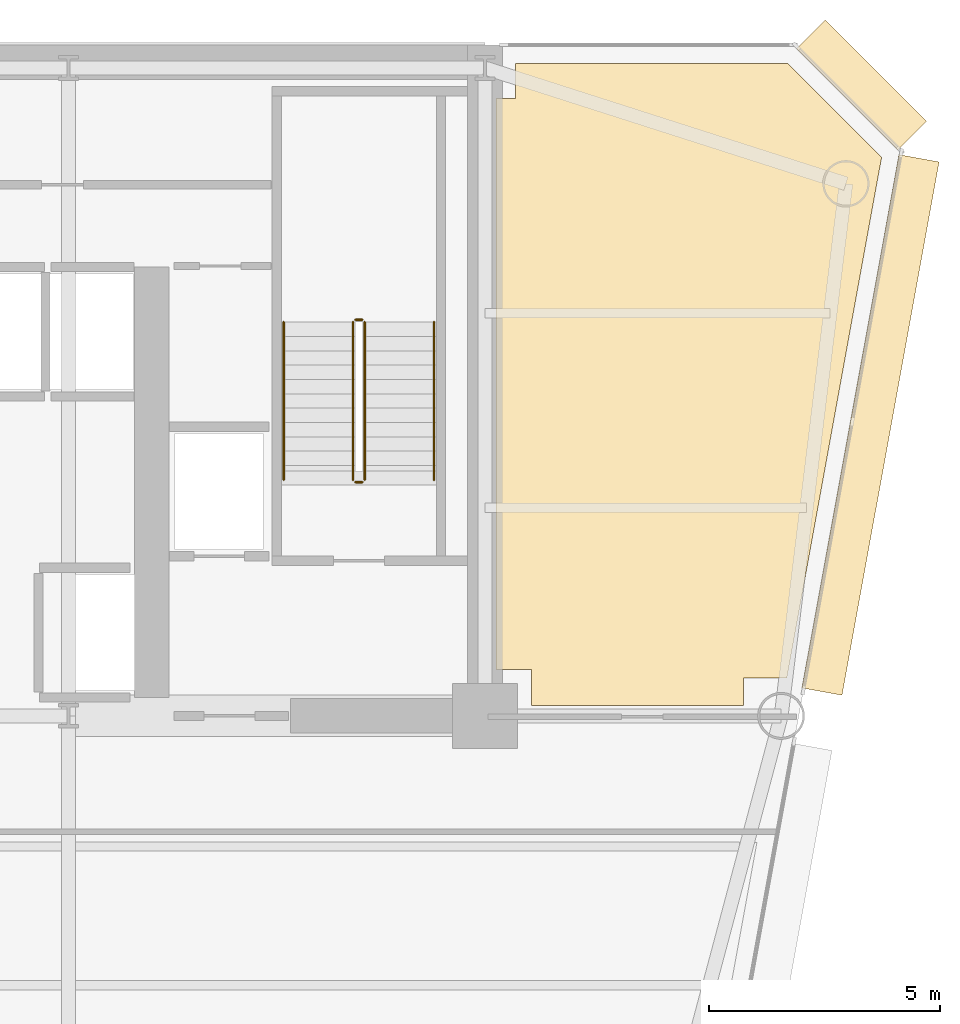
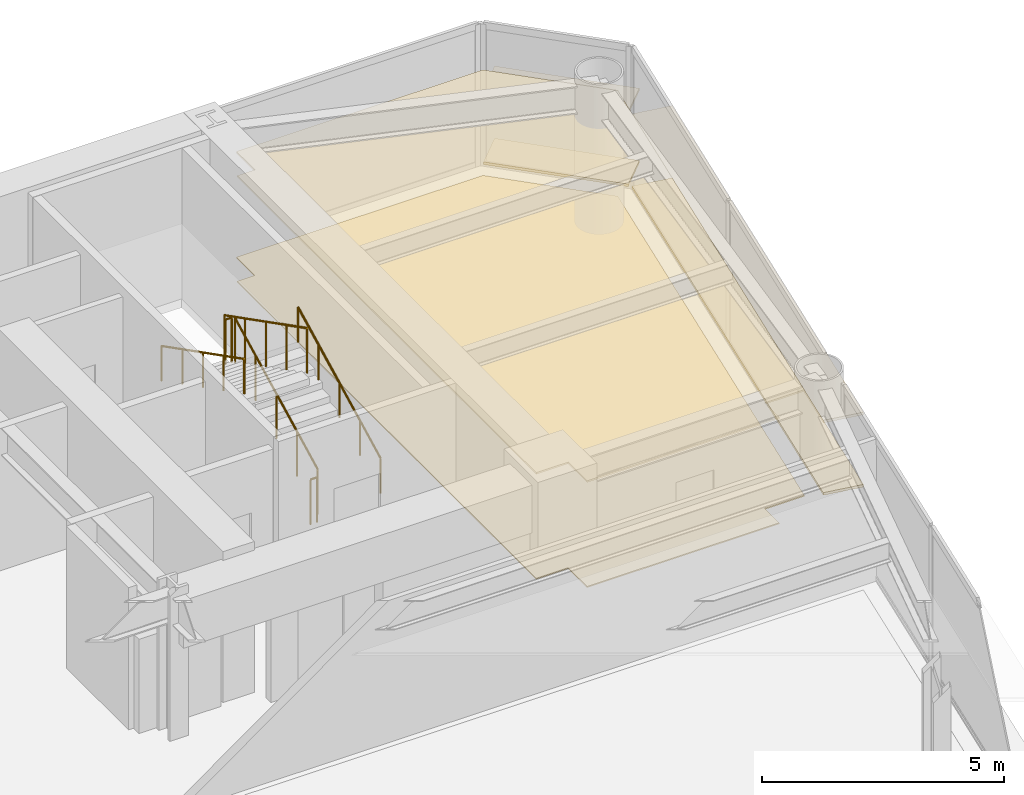
# One storey, part 14 of 14: 6 coverings, 6 railings.
"""IFC4 building model written with IfcOpenShell, lengths in metres."""

from ifc_helpers import new_model, si_unit, direction, frame, origin, origin_2d, place, context, subcontext, project, spatial, polyline, rectangle, circle, outline, extrude, source, transform, mapped, material, layer, layer_set, type_object, element, save


model = new_model("IFC4")

# Units and contexts
model_context = context("Model", 3, precision=1e-05, world=origin(), true_north=direction((0.0, 1.0)))
body_context = subcontext(model_context, "Body", "Model", "MODEL_VIEW")
ifc_project = project(units=[si_unit("LENGTHUNIT", "METRE"), si_unit("AREAUNIT", "SQUARE_METRE"), si_unit("VOLUMEUNIT", "CUBIC_METRE"), si_unit("PLANEANGLEUNIT", "RADIAN"), si_unit("MASSUNIT", "GRAM", prefix="KILO")], contexts=[model_context])

# Site, building, storey
site_placement = place(None, origin())
site = spatial("IfcSite", under=ifc_project, at=site_placement, CompositionType="ELEMENT")
building_placement = place(site_placement, origin())
building = spatial("IfcBuilding", under=site, at=building_placement, Name="Vaeldorn Concourse Tower", CompositionType="ELEMENT")
storey_placement = place(building_placement, frame((0.0, 0.0, 118.60009765625)))
storey = spatial("IfcBuildingStorey", under=building, at=storey_placement, Name="L30", CompositionType="ELEMENT", Elevation=118.60009765625)

# Coverings
ifc_material_1 = material(Name="Acoustic Mineral Fibre Board", Category="gypsum")
ifc_layer_1 = layer(ifc_material_1, 0.0400390625)
ifc_layer_set_1 = layer_set([ifc_layer_1], Name="Acoustic Mineral Fibre Board")
covering_type_1 = type_object("IfcCoveringType", Name="COV-CEIL-ACOUSTIC", PredefinedType="CEILING", material=ifc_layer_set_1)
covering_1_placement = place(storey_placement, frame((0.0, 0.0, 2.64990234375)))
element("IfcCovering", 1, at=covering_1_placement, inside=storey, type_object=covering_type_1, Name="Suspended Acoustic Ceiling L30-4", PredefinedType="CEILING", context=body_context, shape_type="SweptSolid", body=[
    extrude(outline(polyline([(54.659912109375, 49.840087890625), (54.659912109375, 50.60009765625), (60.5341796875, 50.60009765625), (62.56884765625, 48.5654296875), (60.522705078125, 37.320068359375), (59.580078125, 37.320068359375), (59.580078125, 36.719970703125), (55.0, 36.719970703125), (55.0, 37.5), (54.239990234375, 37.5), (54.239990234375, 49.840087890625), (54.659912109375, 49.840087890625)])), origin(), (0.0, 0.0, 1.0), 0.0400390625),
])
ifc_material_2 = material(Name="Honed Limestone Terrazzo Flooring", Category="masonry")
ifc_layer_2 = layer(ifc_material_2, 0.0400390625)
ifc_layer_set_2 = layer_set([ifc_layer_2], Name="Honed Limestone Terrazzo Flooring")
covering_type_2 = type_object("IfcCoveringType", Name="COV-FLOOR-STONE", PredefinedType="FLOORING", material=ifc_layer_set_2)
covering_2_placement = place(storey_placement, origin())
element("IfcCovering", 2, at=covering_2_placement, inside=storey, type_object=covering_type_2, Name="Floor Finish Covering L30-4", PredefinedType="FLOORING", context=body_context, shape_type="SweptSolid", body=[
    extrude(outline(polyline([(54.659912109375, 49.840087890625), (54.659912109375, 50.60009765625), (60.5341796875, 50.60009765625), (62.56884765625, 48.5654296875), (60.522705078125, 37.320068359375), (59.580078125, 37.320068359375), (59.580078125, 36.719970703125), (55.0, 36.719970703125), (55.0, 37.5), (54.239990234375, 37.5), (54.239990234375, 49.840087890625), (54.659912109375, 49.840087890625)])), origin(), (0.0, 0.0, 1.0), 0.02978515625),
])

# Railings
ifc_material_3 = material(Name="Anodised Bronze Aluminium", Category="aluminium")
railing_type_1 = type_object("IfcRailingType", Name="RL-STAIR-GUARD", PredefinedType="GUARDRAIL", material=ifc_material_3)
railing_1_placement = place(storey_placement, frame((51.39990234375, 41.60009765625, 0.158203125)))
element("IfcRailing", 3, at=railing_1_placement, inside=storey, type_object=railing_type_1, Name="L30 ST-2 stair guard 1", PredefinedType="GUARDRAIL", context=body_context, shape_type="SweptSolid", body=[
    extrude(circle(Radius=0.02392578125, at=origin_2d()), frame((0.0, 0.0, 1.1259765625), z_axis=(0.0, 0.890555807335, 0.454873997962), x_axis=(-1.0, 0.0, 0.0)), (0.0, 0.0, 1.0), 3.828857421875),
    extrude(circle(Radius=0.02099609375, at=origin_2d()), origin(), (0.0, 0.0, 1.0), 1.101806640625),
    extrude(circle(Radius=0.02099609375, at=origin_2d()), frame((0.0, 0.8525390625, 0.435546875)), (0.0, 0.0, 1.0), 1.101806640625),
    extrude(circle(Radius=0.02099609375, at=origin_2d()), frame((0.0, 1.705078125, 0.870849609375)), (0.0, 0.0, 1.0), 1.101806640625),
    extrude(circle(Radius=0.02099609375, at=origin_2d()), frame((0.0, 2.557373046875, 1.30615234375)), (0.0, 0.0, 1.0), 1.101806640625),
    extrude(circle(Radius=0.02099609375, at=origin_2d()), frame((0.0, 3.409912109375, 1.74169921875)), (0.0, 0.0, 1.0), 1.101806640625),
])
railing_2_placement = place(storey_placement, frame((51.35009765625, 45.06005859375, 1.89990234375)))
element("IfcRailing", 4, at=railing_2_placement, inside=storey, type_object=railing_type_1, Name="L30 ST-2 stair guard 2", PredefinedType="GUARDRAIL", context=body_context, shape_type="SweptSolid", body=[
    extrude(circle(Radius=0.02392578125, at=origin_2d()), frame((0.0, 0.0, 1.1259765625), z_axis=(-1.0, 0.0, 0.0), x_axis=(0.0, -1.0, 0.0)), (0.0, 0.0, 1.0), 0.150146484375),
    extrude(circle(Radius=0.02099609375, at=origin_2d()), origin(), (0.0, 0.0, 1.0), 1.101806640625),
    extrude(circle(Radius=0.02099609375, at=origin_2d()), frame((-0.150146484375, 0.0, 0.0)), (0.0, 0.0, 1.0), 1.101806640625),
])
railing_3_placement = place(storey_placement, frame((51.14990234375, 45.010009765625, 2.058349609375)))
element("IfcRailing", 5, at=railing_3_placement, inside=storey, type_object=railing_type_1, Name="L30 ST-2 stair guard 3", PredefinedType="GUARDRAIL", context=body_context, shape_type="SweptSolid", body=[
    extrude(circle(Radius=0.02392578125, at=origin_2d()), frame((0.0, 0.0, 1.1259765625), z_axis=(0.0, -0.890581635807, 0.454823427236), x_axis=(1.0, 0.0, 0.0)), (0.0, 0.0, 1.0), 3.828857421875),
    extrude(circle(Radius=0.02099609375, at=origin_2d()), origin(), (0.0, 0.0, 1.0), 1.101806640625),
    extrude(circle(Radius=0.02099609375, at=origin_2d()), frame((0.0, -0.8525390625, 0.435302734375)), (0.0, 0.0, 1.0), 1.101806640625),
    extrude(circle(Radius=0.02099609375, at=origin_2d()), frame((0.0, -1.705078125, 0.87060546875)), (0.0, 0.0, 1.0), 1.101806640625),
    extrude(circle(Radius=0.02099609375, at=origin_2d()), frame((0.0, -2.557373046875, 1.30615234375)), (0.0, 0.0, 1.0), 1.101806640625),
    extrude(circle(Radius=0.02099609375, at=origin_2d()), frame((0.0, -3.409912109375, 1.741455078125)), (0.0, 0.0, 1.0), 1.101806640625),
])
railing_4_placement = place(storey_placement, frame((51.35009765625, 41.550048828125, 0.0)))
element("IfcRailing", 6, at=railing_4_placement, inside=storey, type_object=railing_type_1, Name="L30 ST-2 stair guard 4", PredefinedType="GUARDRAIL", context=body_context, shape_type="SweptSolid", body=[
    extrude(circle(Radius=0.02392578125, at=origin_2d()), frame((0.0, 0.0, 1.1259765625), z_axis=(-1.0, 0.0, 0.0), x_axis=(0.0, -1.0, 0.0)), (0.0, 0.0, 1.0), 0.150146484375),
    extrude(circle(Radius=0.02099609375, at=origin_2d()), origin(), (0.0, 0.0, 1.0), 1.101806640625),
    extrude(circle(Radius=0.02099609375, at=origin_2d()), frame((-0.150146484375, 0.0, 0.0)), (0.0, 0.0, 1.0), 1.101806640625),
])
railing_type_2 = type_object("IfcRailingType", Name="RL-STAIR-HANDRAIL", PredefinedType="HANDRAIL", material=ifc_material_3)
railing_5_placement = place(storey_placement, frame((52.89990234375, 41.60009765625, 0.158203125)))
element("IfcRailing", 7, at=railing_5_placement, inside=storey, type_object=railing_type_2, Name="L30 ST-2 stair handrail 1", PredefinedType="HANDRAIL", context=body_context, shape_type="SweptSolid", body=[
    extrude(circle(Radius=0.02392578125, at=origin_2d()), frame((0.0, 0.0, 0.8759765625), z_axis=(0.0, 0.890555807335, 0.454873997962), x_axis=(-1.0, 0.0, 0.0)), (0.0, 0.0, 1.0), 3.828857421875),
    extrude(circle(Radius=0.02099609375, at=origin_2d()), origin(), (0.0, 0.0, 1.0), 0.851806640625),
    extrude(circle(Radius=0.02099609375, at=origin_2d()), frame((0.0, 0.8525390625, 0.435546875)), (0.0, 0.0, 1.0), 0.851806640625),
    extrude(circle(Radius=0.02099609375, at=origin_2d()), frame((0.0, 1.705078125, 0.870849609375)), (0.0, 0.0, 1.0), 0.851806640625),
    extrude(circle(Radius=0.02099609375, at=origin_2d()), frame((0.0, 2.557373046875, 1.30615234375)), (0.0, 0.0, 1.0), 0.851806640625),
    extrude(circle(Radius=0.02099609375, at=origin_2d()), frame((0.0, 3.409912109375, 1.74169921875)), (0.0, 0.0, 1.0), 0.851806640625),
])
railing_6_placement = place(storey_placement, frame((49.64990234375, 45.010009765625, 2.058349609375)))
element("IfcRailing", 8, at=railing_6_placement, inside=storey, type_object=railing_type_2, Name="L30 ST-2 stair handrail 2", PredefinedType="HANDRAIL", context=body_context, shape_type="SweptSolid", body=[
    extrude(circle(Radius=0.02392578125, at=origin_2d()), frame((0.0, 0.0, 0.8759765625), z_axis=(0.0, -0.890581635807, 0.454823427236), x_axis=(1.0, 0.0, 0.0)), (0.0, 0.0, 1.0), 3.828857421875),
    extrude(circle(Radius=0.02099609375, at=origin_2d()), origin(), (0.0, 0.0, 1.0), 0.851806640625),
    extrude(circle(Radius=0.02099609375, at=origin_2d()), frame((0.0, -0.8525390625, 0.435302734375)), (0.0, 0.0, 1.0), 0.851806640625),
    extrude(circle(Radius=0.02099609375, at=origin_2d()), frame((0.0, -1.705078125, 0.87060546875)), (0.0, 0.0, 1.0), 0.851806640625),
    extrude(circle(Radius=0.02099609375, at=origin_2d()), frame((0.0, -2.557373046875, 1.30615234375)), (0.0, 0.0, 1.0), 0.851806640625),
    extrude(circle(Radius=0.02099609375, at=origin_2d()), frame((0.0, -3.409912109375, 1.741455078125)), (0.0, 0.0, 1.0), 0.851806640625),
])

# Coverings
ifc_layer_3 = layer(ifc_material_3, 0.06494140625)
ifc_layer_set_3 = layer_set([ifc_layer_3], Name="Anodised Bronze Aluminium")
covering_type_3 = type_object("IfcCoveringType", Name="SD-BRONZE-SUNSHADE", PredefinedType="USERDEFINED", material=ifc_layer_set_3)
shared_shape_1 = source(origin(), body_context, "Body", "SweptSolid", [
    extrude(rectangle(XDim=3.0927734375, YDim=0.8798828125, at=origin_2d()), origin(), (0.0, 0.0, 1.0), 0.06494140625),
])
for number, where, z_axis, x_axis, name in (
    (9, (62.1328125, 50.1328125, 0.04736328125), (0.0, 0.0, 1.0), (-0.707106781187, 0.707106781187, 0.0), "Horizontal Bronze Sunshade L30-E08.1.1"),
    (10, (62.1328125, 50.1328125, 1.867431640625), (0.0, 0.0, 1.0), (-0.707106781187, 0.707106781187, 0.0), "Horizontal Bronze Sunshade L30-E08.1.2"),
):
    element("IfcCovering", number, at=place(storey_placement, frame(where, z_axis=z_axis, x_axis=x_axis)), inside=storey, type_object=covering_type_3, Name=name, ObjectType="SUNSHADE", PredefinedType="USERDEFINED", context=body_context, shape_type="MappedRepresentation", body=[
        mapped(shared_shape_1, transform((0.0, 0.0, 0.0), scale=1.0)),
    ])
shared_shape_2 = source(origin(), body_context, "Body", "SweptSolid", [
    extrude(rectangle(XDim=11.7138671875, YDim=0.8798828125, at=origin_2d()), origin(), (0.0, 0.0, 1.0), 0.06494140625),
])
for number, where, z_axis, x_axis, name in (
    (11, (62.33056640625, 42.787353515625, 0.04736328125), (0.0, 0.0, 1.0), (0.179025446946, 0.983844443673, 0.0), "Horizontal Bronze Sunshade L30-E07.2.1"),
    (12, (62.33056640625, 42.787353515625, 1.867431640625), (0.0, 0.0, 1.0), (0.179025446946, 0.983844443673, 0.0), "Horizontal Bronze Sunshade L30-E07.2.2"),
):
    element("IfcCovering", number, at=place(storey_placement, frame(where, z_axis=z_axis, x_axis=x_axis)), inside=storey, type_object=covering_type_3, Name=name, ObjectType="SUNSHADE", PredefinedType="USERDEFINED", context=body_context, shape_type="MappedRepresentation", body=[
        mapped(shared_shape_2, transform((0.0, 0.0, 0.0), scale=1.0)),
    ])

save(model, "model.ifc")
